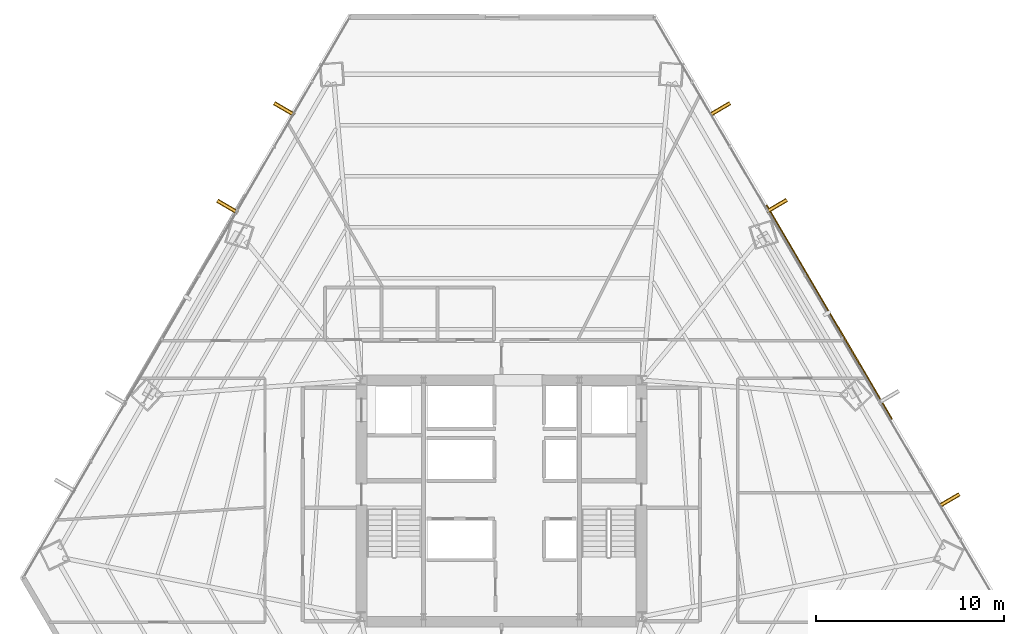
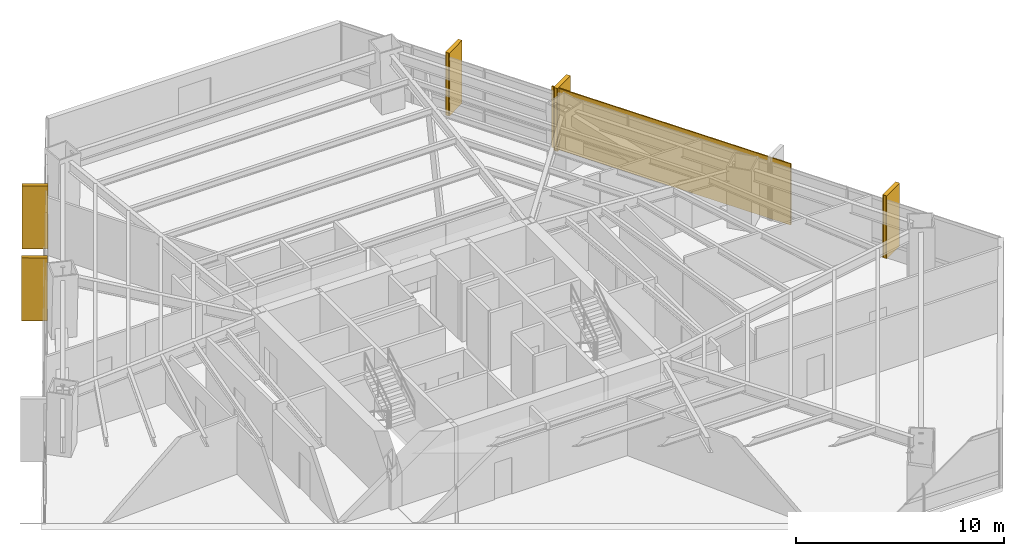
# One storey, part 33 of 33: 6 shading devices, 5 coverings.
"""IFC4 building model written with IfcOpenShell, lengths in metres."""

from ifc_helpers import new_model, si_unit, direction, frame, origin, origin_2d, place, context, subcontext, project, spatial, rectangle, extrude, source, transform, mapped, material, layer, layer_set, type_object, type_shapes, element, save


model = new_model("IFC4")

# Units and contexts
model_context = context("Model", 3, precision=1e-05, world=origin(), true_north=direction((0.0, 1.0)))
body_context = subcontext(model_context, "Body", "Model", "MODEL_VIEW")
ifc_project = project(units=[si_unit("LENGTHUNIT", "METRE"), si_unit("AREAUNIT", "SQUARE_METRE"), si_unit("VOLUMEUNIT", "CUBIC_METRE"), si_unit("PLANEANGLEUNIT", "RADIAN"), si_unit("MASSUNIT", "GRAM", prefix="KILO")], contexts=[model_context])

# Site, building, storey
site_placement = place(None, origin())
site = spatial("IfcSite", under=ifc_project, at=site_placement, CompositionType="ELEMENT")
building_placement = place(site_placement, origin())
building = spatial("IfcBuilding", under=site, at=building_placement, Name="Caelisora Broadcast Tower", CompositionType="ELEMENT")
storey_placement = place(building_placement, frame((0.0, 0.0, 38.550048828125)))
storey = spatial("IfcBuildingStorey", under=building, at=storey_placement, Name="L09", CompositionType="ELEMENT", Elevation=38.550048828125)

# Coverings
ifc_material_1 = material(Name="Kiln-Fired Terracotta Spandrel Rainscreen Cladding", Category="ceramic")
ifc_layer_1 = layer(ifc_material_1, 0.044921875, Name="Kiln-Fired Terracotta Spandrel Rainscreen Cladding")
ifc_layer_set_1 = layer_set([ifc_layer_1], Name="Kiln-Fired Terracotta Spandrel Rainscreen Cladding")
covering_type = type_object("IfcCoveringType", Name="CL-1", PredefinedType="CLADDING", material=ifc_layer_set_1)
shared_shape_1 = source(origin(), body_context, "Body", "SweptSolid", [
    extrude(rectangle(XDim=0.219970703125, YDim=1.25, at=origin_2d()), origin(), (0.0, 0.0, 1.0), 3.68994140625),
])
type_shapes(covering_type, [shared_shape_1])
for number, where, z_axis, x_axis, name in (
    (1, (49.64599609375, 44.45166015625, -0.02001953125), (0.0, 0.0, 1.0), (0.505732659231, -0.862690255763, 0.0), "L09 vertical solar fin cladding #1-1"),
    (2, (52.6689453125, 39.294189453125, -0.02001953125), (0.0, 0.0, 1.0), (0.505732659231, -0.862690255763, 0.0), "L09 vertical solar fin cladding #1-2"),
    (3, (61.8623046875, 23.609130859375, -0.02001953125), (0.0, 0.0, 1.0), (0.505732659231, -0.862690255763, 0.0), "L09 vertical solar fin cladding #1-4"),
    (4, (23.396240234375, 39.251708984375, -0.02001953125), (0.0, 0.0, 1.0), (0.503321604797, 0.864099162217, 0.0), "L09 vertical solar fin cladding #3-3"),
    (5, (26.42529296875, 44.452392578125, -0.02001953125), (0.0, 0.0, 1.0), (0.503321604797, 0.864099162217, 0.0), "L09 vertical solar fin cladding #3-4"),
):
    element("IfcCovering", number, at=place(storey_placement, frame(where, z_axis=z_axis, x_axis=x_axis)), inside=storey, type_object=covering_type, Name=name, PredefinedType="CLADDING", context=body_context, shape_type="MappedRepresentation", body=[
        mapped(shared_shape_1, transform((0.0, 0.0, 0.0), scale=1.0)),
    ])

# Shading devices
ifc_material_2 = material(Name="Extruded Terracotta Flaring Colonnade Fin", Category="ceramic")
ifc_layer_2 = layer(ifc_material_2, 0.139892578125, Name="Extruded Terracotta Flaring Colonnade Fin")
ifc_layer_set_2 = layer_set([ifc_layer_2], Name="Extruded Terracotta Flaring Colonnade Fin")
shading_device_type_1 = type_object("IfcShadingDeviceType", Name="FN-1", PredefinedType="USERDEFINED", material=ifc_layer_set_2)
shared_shape_2 = source(origin(), body_context, "Body", "SweptSolid", [
    extrude(rectangle(XDim=0.139892578125, YDim=1.25, at=origin_2d()), origin(), (0.0, 0.0, 1.0), 3.669921875),
])
type_shapes(shading_device_type_1, [shared_shape_2])
for number, where, z_axis, x_axis, name in (
    (6, (49.64599609375, 44.45166015625, -0.010009765625), (0.0, 0.0, 1.0), (0.505732659231, -0.862690255763, 0.0), "L09 vertical terracotta fin #1-1"),
    (7, (52.6689453125, 39.294189453125, -0.010009765625), (0.0, 0.0, 1.0), (0.505732659231, -0.862690255763, 0.0), "L09 vertical terracotta fin #1-2"),
    (8, (61.8623046875, 23.609130859375, -0.010009765625), (0.0, 0.0, 1.0), (0.505732659231, -0.862690255763, 0.0), "L09 vertical terracotta fin #1-4"),
    (9, (23.396240234375, 39.251708984375, -0.010009765625), (0.0, 0.0, 1.0), (0.503321604797, 0.864099162217, 0.0), "L09 vertical terracotta fin #3-3"),
    (10, (26.42529296875, 44.452392578125, -0.010009765625), (0.0, 0.0, 1.0), (0.503321604797, 0.864099162217, 0.0), "L09 vertical terracotta fin #3-4"),
):
    element("IfcShadingDevice", number, at=place(storey_placement, frame(where, z_axis=z_axis, x_axis=x_axis)), inside=storey, type_object=shading_device_type_1, Name=name, ObjectType="FIN", PredefinedType="USERDEFINED", context=body_context, shape_type="MappedRepresentation", body=[
        mapped(shared_shape_2, transform((0.0, 0.0, 0.0), scale=1.0)),
    ])
ifc_material_3 = material(Name="Perforated Glazed Terracotta Baguette Solar Screen", Category="ceramic")
ifc_layer_3 = layer(ifc_material_3, 0.06494140625, Name="Perforated Glazed Terracotta Baguette Solar Screen")
ifc_layer_set_3 = layer_set([ifc_layer_3], Name="Perforated Glazed Terracotta Baguette Solar Screen")
shading_device_type_2 = type_object("IfcShadingDeviceType", Name="SS-1", PredefinedType="USERDEFINED", material=ifc_layer_set_3)
shared_shape_3 = source(origin(), body_context, "Body", "SweptSolid", [
    extrude(rectangle(XDim=13.2080078125, YDim=0.06494140625, at=origin_2d()), origin(), (0.0, 0.0, 1.0), 3.590087890625),
])
type_shapes(shading_device_type_2, [shared_shape_3])
shading_device_placement = place(storey_placement, frame((55.467529296875, 33.6298828125, 0.0), z_axis=(0.0, 0.0, 1.0), x_axis=(-0.505732659231, 0.862690255763, 0.0)))
element("IfcShadingDevice", 11, at=shading_device_placement, inside=storey, type_object=shading_device_type_2, Name="L09 perforated terracotta solar screen #3", ObjectType="SOLAR SCREEN", PredefinedType="USERDEFINED", context=body_context, shape_type="MappedRepresentation", body=[
    mapped(shared_shape_3, transform((0.0, 0.0, 0.0), scale=1.0)),
])

save(model, "model.ifc")
